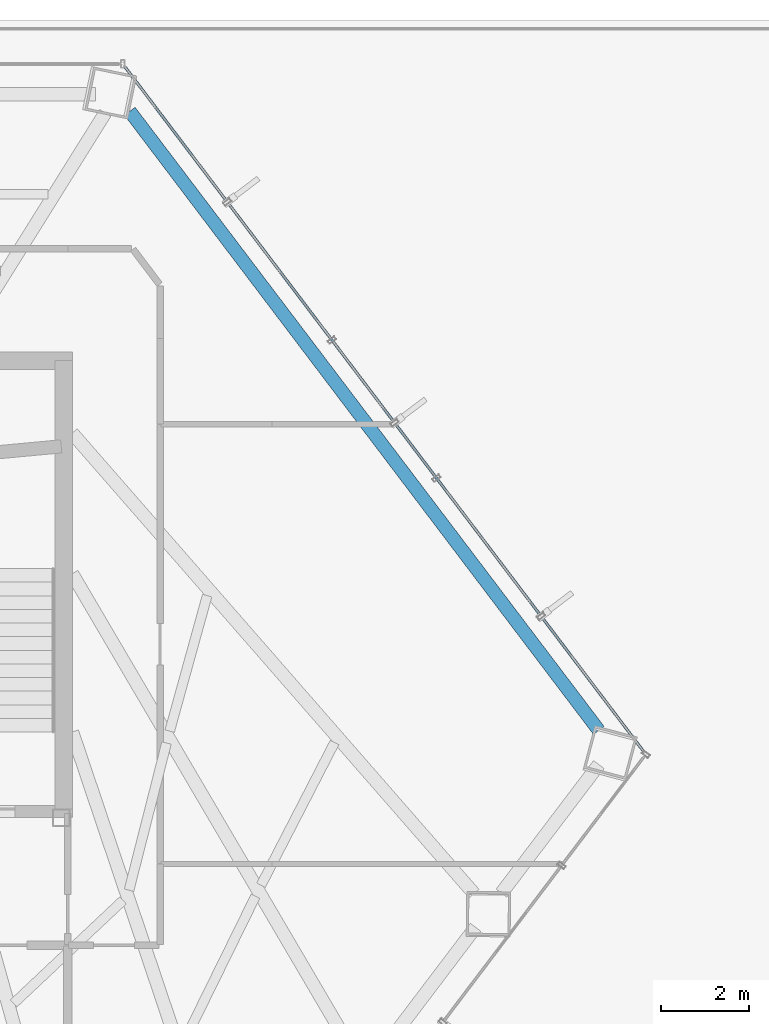
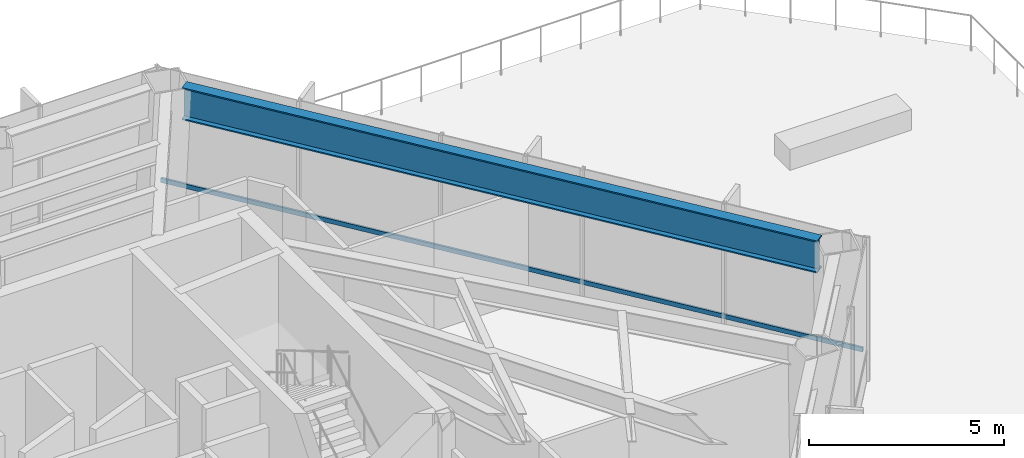
# One storey, part 18 of 30: 1 beam, 1 member, 1 element without a shape of its own.
"""IFC4 building model written with IfcOpenShell, lengths in metres."""

from ifc_helpers import new_model, si_unit, direction, frame, origin, origin_2d, place, context, subcontext, project, spatial, hollow_rectangle, i_section, extrude, material, layer, layer_set, material_profile, profile_set, type_object, element, aggregate, save


model = new_model("IFC4")

# Units and contexts
model_context = context("Model", 3, precision=1e-05, world=origin(), true_north=direction((0.0, 1.0)))
body_context = subcontext(model_context, "Body", "Model", "MODEL_VIEW")
ifc_project = project(units=[si_unit("LENGTHUNIT", "METRE"), si_unit("AREAUNIT", "SQUARE_METRE"), si_unit("VOLUMEUNIT", "CUBIC_METRE"), si_unit("PLANEANGLEUNIT", "RADIAN"), si_unit("MASSUNIT", "GRAM", prefix="KILO")], contexts=[model_context])

# Site, building, storey
site_placement = place(None, origin())
site = spatial("IfcSite", under=ifc_project, at=site_placement, CompositionType="ELEMENT")
building_placement = place(site_placement, origin())
building = spatial("IfcBuilding", under=site, at=building_placement, Name="Zarrinselat Tower", CompositionType="ELEMENT")
storey_placement = place(building_placement, frame((0.0, 0.0, 22.780029296875)))
storey = spatial("IfcBuildingStorey", under=building, at=storey_placement, Name="L05", CompositionType="ELEMENT", Elevation=22.780029296875)

# Beam
ifc_material_1 = material(Name="Steel S460M", Category="steel")
ifc_material_profile_1 = material_profile(ifc_material_1, i_section(OverallWidth=0.302001953125, OverallDepth=1.008056640625, WebThickness=0.02099609375, FlangeThickness=0.0400390625, at=origin_2d()), Name="HEM 1000")
ifc_profile_set_1 = profile_set([ifc_material_profile_1], Name="Steel S460M")
beam_type = type_object("IfcBeamType", Name="BM-HEM1000", PredefinedType="BEAM", material=ifc_profile_set_1)
beam_placement = place(storey_placement, frame((49.760986328125, 49.1220703125, 3.995849609375), z_axis=(0.603857155977, -0.797092551198, 0.0), x_axis=(0.797092551198, 0.603857155977, 0.0)))
element("IfcBeam", 1, at=beam_placement, inside=storey, type_object=beam_type, Name="L05 Perimeter Spandrel Girder SP15", PredefinedType="BEAM", context=body_context, shape_type="SweptSolid", body=[
    extrude(i_section(OverallWidth=0.302001953125, OverallDepth=1.008056640625, WebThickness=0.02099609375, FlangeThickness=0.0400390625, at=origin_2d()), origin(), (0.0, 0.0, 1.0), 17.67041015625),
])

# Curtain wall, member
ifc_material_2 = material(Name="Extruded Aluminium Alloy EN AW-6063 T6", Category="aluminium")
ifc_layer = layer(ifc_material_2, 0.195068359375)
ifc_layer_set = layer_set([ifc_layer], Name="Extruded Aluminium Alloy EN AW-6063 T6")
curtain_wall_type = type_object("IfcCurtainWallType", Name="CWS-GDN", PredefinedType="NOTDEFINED", material=ifc_layer_set)
curtain_wall_placement = place(storey_placement, origin())
curtain_wall = element("IfcCurtainWall", 2, at=curtain_wall_placement, inside=storey, type_object=curtain_wall_type, Name="L05 Unitised Curtain Wall CW-L05-E06", PredefinedType="NOTDEFINED")
ifc_material_3 = material(Name="Extruded Aluminium Alloy EN AW-6063 T6", Category="aluminium")
ifc_material_profile_2 = material_profile(ifc_material_3, hollow_rectangle(XDim=0.06005859375, YDim=0.139892578125, WallThickness=0.00390625, at=origin_2d()), Name="RHS 140x60x4")
ifc_profile_set_2 = profile_set([ifc_material_profile_2], Name="Extruded Aluminium Alloy EN AW-6063 T6")
member_type = type_object("IfcMemberType", Name="MEM-CW-TRN", PredefinedType="USERDEFINED", material=ifc_profile_set_2)
member_placement = place(storey_placement, frame((61.44580078125, 34.563720703125, 0.949951171875), z_axis=(-0.603859854463, 0.797090506886, 0.0), x_axis=(-0.797090506886, -0.603859854463, 0.0)))
member = element("IfcMember", 3, at=member_placement, type_object=member_type, Name="CW-L05-E06 Transom 1", ObjectType="TRANSOM", PredefinedType="USERDEFINED", context=body_context, shape_type="SweptSolid", body=[
    extrude(hollow_rectangle(XDim=0.06005859375, YDim=0.139892578125, WallThickness=0.00390625, at=origin_2d()), origin(), (0.0, 0.0, 1.0), 19.52685546875),
])
aggregate(curtain_wall, [member])

save(model, "model.ifc")
